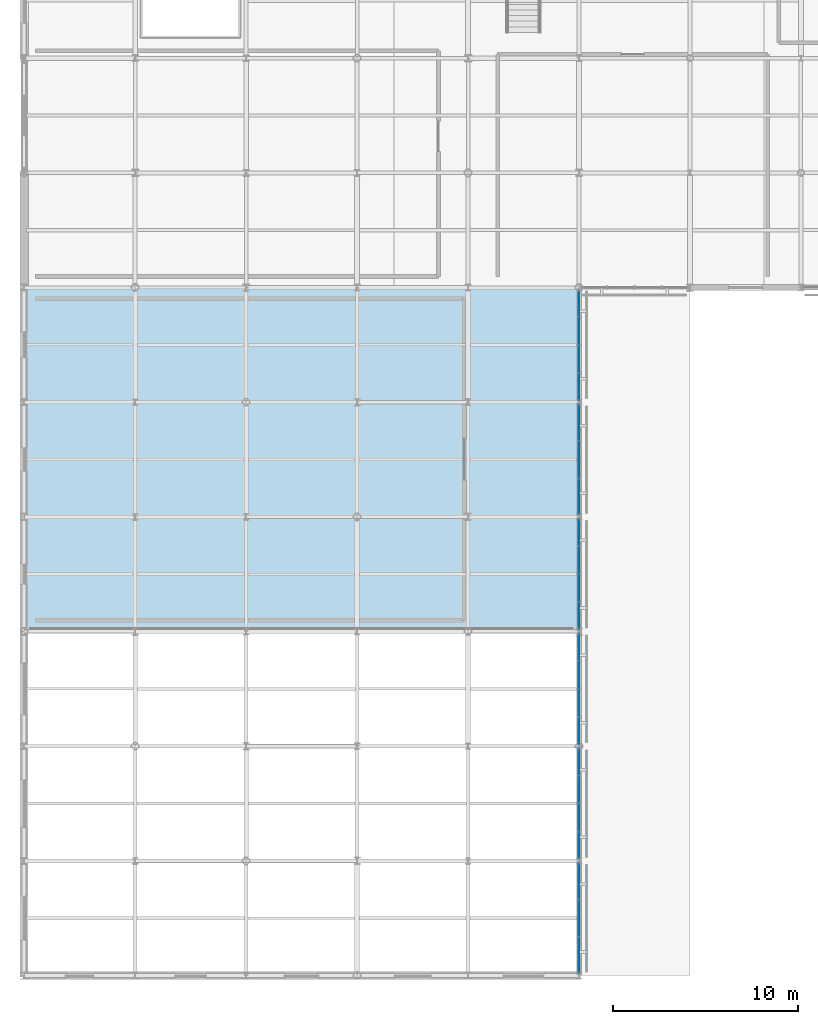
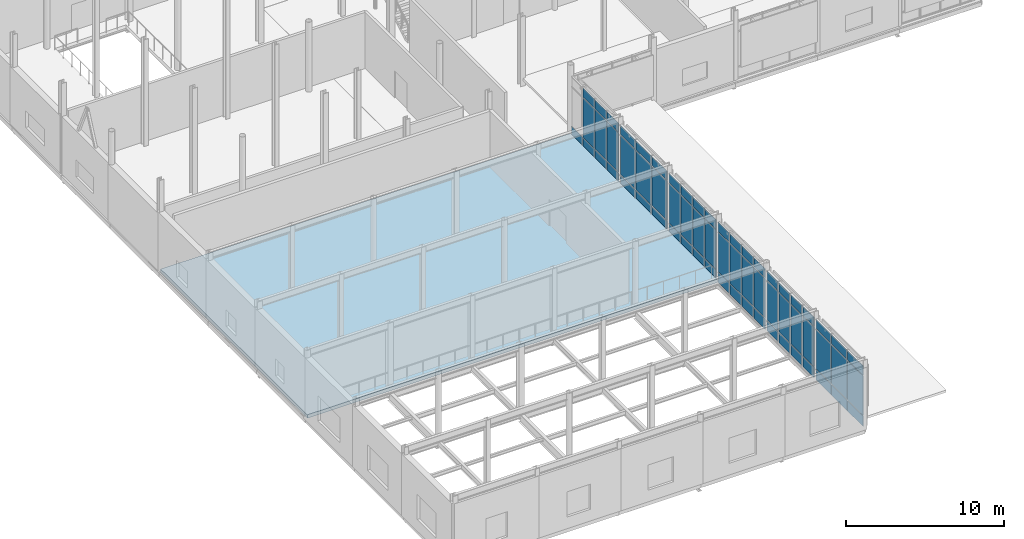
# One storey, part 55 of 105: 64 plates, 1 slab, 6 elements without a shape of their own.
"""IFC4 building model written with IfcOpenShell, lengths in metres."""

from ifc_helpers import new_model, si_unit, direction, frame, origin, origin_2d, place, context, subcontext, project, spatial, polyline, rectangle, outline, extrude, material, layer, layer_set, type_object, element, aggregate, save


model = new_model("IFC4")

# Units and contexts
model_context = context("Model", 3, precision=1e-05, world=origin(), true_north=direction((0.0, 1.0)))
body_context = subcontext(model_context, "Body", "Model", "MODEL_VIEW")
ifc_project = project(units=[si_unit("LENGTHUNIT", "METRE"), si_unit("AREAUNIT", "SQUARE_METRE"), si_unit("VOLUMEUNIT", "CUBIC_METRE"), si_unit("PLANEANGLEUNIT", "RADIAN"), si_unit("MASSUNIT", "GRAM", prefix="KILO")], contexts=[model_context])

# Site, building, storey
site_placement = place(None, origin())
site = spatial("IfcSite", under=ifc_project, at=site_placement, CompositionType="ELEMENT")
building_placement = place(site_placement, origin())
building = spatial("IfcBuilding", under=site, at=building_placement, Name="Mirzam Square Science Centre", CompositionType="ELEMENT")
storey_placement = place(building_placement, frame((0.0, 0.0, 5.39990234375)))
storey = spatial("IfcBuildingStorey", under=building, at=storey_placement, Name="L01", CompositionType="ELEMENT", Elevation=5.39990234375)

# Curtain wall, plates
ifc_material_1 = material(Name="Anodised Aluminium and Low-E Solar Glass", Category="aluminium")
ifc_layer_1 = layer(ifc_material_1, 0.159912109375)
ifc_layer_set_1 = layer_set([ifc_layer_1], Name="CW-COURT-B")
curtain_wall_type_1 = type_object("IfcCurtainWallType", Name="CW-COURT-B", PredefinedType="USERDEFINED", material=ifc_layer_set_1)
curtain_wall_1_placement = place(storey_placement, origin())
curtain_wall_1 = element("IfcCurtainWall", 1, at=curtain_wall_1_placement, inside=storey, type_object=curtain_wall_type_1, Name="L01 unitised curtain wall 42", ObjectType="UNITISED CURTAIN WALL", PredefinedType="USERDEFINED")
ifc_material_2 = material(Name="Ceramic-Fritted Courtyard Solar Glass", Category="glass")
ifc_layer_2 = layer(ifc_material_2, 0.02392578125)
ifc_layer_set_2 = layer_set([ifc_layer_2], Name="CWP-GLZ-24")
plate_type_1 = type_object("IfcPlateType", Name="CWP-GLZ-24", PredefinedType="CURTAIN_PANEL", material=ifc_layer_set_2)
plate_1_placement = place(storey_placement, frame((30.0, 13.231201171875, -0.18994140625), z_axis=(0.0, 0.0, 1.0), x_axis=(0.0, 1.0, 0.0)))
plate_1 = element("IfcPlate", 2, at=plate_1_placement, type_object=plate_type_1, Name="CW-04 panel 1.1", PredefinedType="CURTAIN_PANEL", context=body_context, shape_type="SweptSolid", body=[
    extrude(rectangle(XDim=1.4326171875, YDim=0.02392578125, at=origin_2d()), origin(), (0.0, 0.0, 1.0), 0.81005859375),
])
plate_2_placement = place(storey_placement, frame((30.0, 13.231201171875, 0.68017578125), z_axis=(0.0, 0.0, 1.0), x_axis=(0.0, 1.0, 0.0)))
plate_2 = element("IfcPlate", 3, at=plate_2_placement, type_object=plate_type_1, Name="CW-04 panel 1.2", PredefinedType="CURTAIN_PANEL", context=body_context, shape_type="SweptSolid", body=[
    extrude(rectangle(XDim=1.4326171875, YDim=0.02392578125, at=origin_2d()), origin(), (0.0, 0.0, 1.0), 3.0400390625),
])
plate_3_placement = place(storey_placement, frame((30.0, 13.231201171875, 3.780029296875), z_axis=(0.0, 0.0, 1.0), x_axis=(0.0, 1.0, 0.0)))
plate_3 = element("IfcPlate", 4, at=plate_3_placement, type_object=plate_type_1, Name="CW-04 panel 1.3", PredefinedType="CURTAIN_PANEL", context=body_context, shape_type="SweptSolid", body=[
    extrude(rectangle(XDim=1.4326171875, YDim=0.02392578125, at=origin_2d()), origin(), (0.0, 0.0, 1.0), 0.7099609375),
])
plate_4_placement = place(storey_placement, frame((30.0, 14.73876953125, -0.18994140625), z_axis=(0.0, 0.0, 1.0), x_axis=(0.0, 1.0, 0.0)))
plate_4 = element("IfcPlate", 5, at=plate_4_placement, type_object=plate_type_1, Name="CW-04 panel 2.1", PredefinedType="CURTAIN_PANEL", context=body_context, shape_type="SweptSolid", body=[
    extrude(rectangle(XDim=1.46240234375, YDim=0.02392578125, at=origin_2d()), origin(), (0.0, 0.0, 1.0), 0.81005859375),
])
plate_5_placement = place(storey_placement, frame((30.0, 14.73876953125, 0.68017578125), z_axis=(0.0, 0.0, 1.0), x_axis=(0.0, 1.0, 0.0)))
plate_5 = element("IfcPlate", 6, at=plate_5_placement, type_object=plate_type_1, Name="CW-04 panel 2.2", PredefinedType="CURTAIN_PANEL", context=body_context, shape_type="SweptSolid", body=[
    extrude(rectangle(XDim=1.46240234375, YDim=0.02392578125, at=origin_2d()), origin(), (0.0, 0.0, 1.0), 3.0400390625),
])
plate_6_placement = place(storey_placement, frame((30.0, 14.73876953125, 3.780029296875), z_axis=(0.0, 0.0, 1.0), x_axis=(0.0, 1.0, 0.0)))
plate_6 = element("IfcPlate", 7, at=plate_6_placement, type_object=plate_type_1, Name="CW-04 panel 2.3", PredefinedType="CURTAIN_PANEL", context=body_context, shape_type="SweptSolid", body=[
    extrude(rectangle(XDim=1.46240234375, YDim=0.02392578125, at=origin_2d()), origin(), (0.0, 0.0, 1.0), 0.7099609375),
])
plate_7_placement = place(storey_placement, frame((30.0, 16.26123046875, -0.18994140625), z_axis=(0.0, 0.0, 1.0), x_axis=(0.0, 1.0, 0.0)))
plate_7 = element("IfcPlate", 8, at=plate_7_placement, type_object=plate_type_1, Name="CW-04 panel 3.1", PredefinedType="CURTAIN_PANEL", context=body_context, shape_type="SweptSolid", body=[
    extrude(rectangle(XDim=1.46240234375, YDim=0.02392578125, at=origin_2d()), origin(), (0.0, 0.0, 1.0), 0.81005859375),
])
plate_8_placement = place(storey_placement, frame((30.0, 16.26123046875, 0.68017578125), z_axis=(0.0, 0.0, 1.0), x_axis=(0.0, 1.0, 0.0)))
plate_8 = element("IfcPlate", 9, at=plate_8_placement, type_object=plate_type_1, Name="CW-04 panel 3.2", PredefinedType="CURTAIN_PANEL", context=body_context, shape_type="SweptSolid", body=[
    extrude(rectangle(XDim=1.46240234375, YDim=0.02392578125, at=origin_2d()), origin(), (0.0, 0.0, 1.0), 3.0400390625),
])
plate_9_placement = place(storey_placement, frame((30.0, 16.26123046875, 3.780029296875), z_axis=(0.0, 0.0, 1.0), x_axis=(0.0, 1.0, 0.0)))
plate_9 = element("IfcPlate", 10, at=plate_9_placement, type_object=plate_type_1, Name="CW-04 panel 3.3", PredefinedType="CURTAIN_PANEL", context=body_context, shape_type="SweptSolid", body=[
    extrude(rectangle(XDim=1.46240234375, YDim=0.02392578125, at=origin_2d()), origin(), (0.0, 0.0, 1.0), 0.7099609375),
])
plate_10_placement = place(storey_placement, frame((30.0, 17.768798828125, -0.18994140625), z_axis=(0.0, 0.0, 1.0), x_axis=(0.0, 1.0, 0.0)))
plate_10 = element("IfcPlate", 11, at=plate_10_placement, type_object=plate_type_1, Name="CW-04 panel 4.1", PredefinedType="CURTAIN_PANEL", context=body_context, shape_type="SweptSolid", body=[
    extrude(rectangle(XDim=1.4326171875, YDim=0.02392578125, at=origin_2d()), origin(), (0.0, 0.0, 1.0), 0.81005859375),
])
plate_11_placement = place(storey_placement, frame((30.0, 17.768798828125, 0.68017578125), z_axis=(0.0, 0.0, 1.0), x_axis=(0.0, 1.0, 0.0)))
plate_11 = element("IfcPlate", 12, at=plate_11_placement, type_object=plate_type_1, Name="CW-04 panel 4.2", PredefinedType="CURTAIN_PANEL", context=body_context, shape_type="SweptSolid", body=[
    extrude(rectangle(XDim=1.4326171875, YDim=0.02392578125, at=origin_2d()), origin(), (0.0, 0.0, 1.0), 3.0400390625),
])
plate_12_placement = place(storey_placement, frame((30.0, 17.768798828125, 3.780029296875), z_axis=(0.0, 0.0, 1.0), x_axis=(0.0, 1.0, 0.0)))
plate_12 = element("IfcPlate", 13, at=plate_12_placement, type_object=plate_type_1, Name="CW-04 panel 4.3", PredefinedType="CURTAIN_PANEL", context=body_context, shape_type="SweptSolid", body=[
    extrude(rectangle(XDim=1.4326171875, YDim=0.02392578125, at=origin_2d()), origin(), (0.0, 0.0, 1.0), 0.7099609375),
])
aggregate(curtain_wall_1, [plate_1, plate_2, plate_3, plate_4, plate_5, plate_6, plate_7, plate_8, plate_9, plate_10, plate_11, plate_12])

ifc_layer_3 = layer(ifc_material_1, 0.239990234375)
ifc_layer_set_3 = layer_set([ifc_layer_3], Name="CW-EAST-B")
curtain_wall_type_2 = type_object("IfcCurtainWallType", Name="CW-EAST-B", PredefinedType="USERDEFINED", material=ifc_layer_set_3)
curtain_wall_2_placement = place(storey_placement, origin())
curtain_wall_2 = element("IfcCurtainWall", 14, at=curtain_wall_2_placement, inside=storey, type_object=curtain_wall_type_2, Name="L01 unitised curtain wall 44", ObjectType="UNITISED CURTAIN WALL", PredefinedType="USERDEFINED")
ifc_material_3 = material(Name="Double-Silver Low-E Insulated Solar Glass", Category="glass")
ifc_layer_4 = layer(ifc_material_3, 0.028076171875)
ifc_layer_set_4 = layer_set([ifc_layer_4], Name="CWP-GLZ-28")
plate_type_2 = type_object("IfcPlateType", Name="CWP-GLZ-28", PredefinedType="CURTAIN_PANEL", material=ifc_layer_set_4)
plate_13_placement = place(storey_placement, frame((30.0, 25.888671875, -0.175048828125), z_axis=(0.0, 0.0, 1.0), x_axis=(0.0, 1.0, 0.0)))
plate_13 = element("IfcPlate", 15, at=plate_13_placement, type_object=plate_type_2, Name="CW-06 panel 1.1", PredefinedType="CURTAIN_PANEL", context=body_context, shape_type="SweptSolid", body=[
    extrude(rectangle(XDim=1.91748046875, YDim=0.028076171875, at=origin_2d()), origin(), (0.0, 0.0, 1.0), 0.78759765625),
])
plate_14_placement = place(storey_placement, frame((30.0, 25.888671875, 0.687744140625), z_axis=(0.0, 0.0, 1.0), x_axis=(0.0, 1.0, 0.0)))
plate_14 = element("IfcPlate", 16, at=plate_14_placement, type_object=plate_type_2, Name="CW-06 panel 1.2", PredefinedType="CURTAIN_PANEL", context=body_context, shape_type="SweptSolid", body=[
    extrude(rectangle(XDim=1.91748046875, YDim=0.028076171875, at=origin_2d()), origin(), (0.0, 0.0, 1.0), 3.02490234375),
])
plate_15_placement = place(storey_placement, frame((30.0, 25.888671875, 3.78759765625), z_axis=(0.0, 0.0, 1.0), x_axis=(0.0, 1.0, 0.0)))
plate_15 = element("IfcPlate", 17, at=plate_15_placement, type_object=plate_type_2, Name="CW-06 panel 1.3", PredefinedType="CURTAIN_PANEL", context=body_context, shape_type="SweptSolid", body=[
    extrude(rectangle(XDim=1.91748046875, YDim=0.028076171875, at=origin_2d()), origin(), (0.0, 0.0, 1.0), 0.6875),
])
plate_16_placement = place(storey_placement, frame((30.0, 27.89990234375, -0.175048828125), z_axis=(0.0, 0.0, 1.0), x_axis=(0.0, 1.0, 0.0)))
plate_16 = element("IfcPlate", 18, at=plate_16_placement, type_object=plate_type_2, Name="CW-06 panel 2.1", PredefinedType="CURTAIN_PANEL", context=body_context, shape_type="SweptSolid", body=[
    extrude(rectangle(XDim=1.955078125, YDim=0.028076171875, at=origin_2d()), origin(), (0.0, 0.0, 1.0), 0.78759765625),
])
plate_17_placement = place(storey_placement, frame((30.0, 27.89990234375, 0.687744140625), z_axis=(0.0, 0.0, 1.0), x_axis=(0.0, 1.0, 0.0)))
plate_17 = element("IfcPlate", 19, at=plate_17_placement, type_object=plate_type_2, Name="CW-06 panel 2.2", PredefinedType="CURTAIN_PANEL", context=body_context, shape_type="SweptSolid", body=[
    extrude(rectangle(XDim=1.955078125, YDim=0.028076171875, at=origin_2d()), origin(), (0.0, 0.0, 1.0), 3.02490234375),
])
plate_18_placement = place(storey_placement, frame((30.0, 27.89990234375, 3.78759765625), z_axis=(0.0, 0.0, 1.0), x_axis=(0.0, 1.0, 0.0)))
plate_18 = element("IfcPlate", 20, at=plate_18_placement, type_object=plate_type_2, Name="CW-06 panel 2.3", PredefinedType="CURTAIN_PANEL", context=body_context, shape_type="SweptSolid", body=[
    extrude(rectangle(XDim=1.955078125, YDim=0.028076171875, at=origin_2d()), origin(), (0.0, 0.0, 1.0), 0.6875),
])
plate_19_placement = place(storey_placement, frame((30.0, 29.9111328125, -0.175048828125), z_axis=(0.0, 0.0, 1.0), x_axis=(0.0, 1.0, 0.0)))
plate_19 = element("IfcPlate", 21, at=plate_19_placement, type_object=plate_type_2, Name="CW-06 panel 3.1", PredefinedType="CURTAIN_PANEL", context=body_context, shape_type="SweptSolid", body=[
    extrude(rectangle(XDim=1.91748046875, YDim=0.028076171875, at=origin_2d()), origin(), (0.0, 0.0, 1.0), 0.78759765625),
])
plate_20_placement = place(storey_placement, frame((30.0, 29.9111328125, 0.687744140625), z_axis=(0.0, 0.0, 1.0), x_axis=(0.0, 1.0, 0.0)))
plate_20 = element("IfcPlate", 22, at=plate_20_placement, type_object=plate_type_2, Name="CW-06 panel 3.2", PredefinedType="CURTAIN_PANEL", context=body_context, shape_type="SweptSolid", body=[
    extrude(rectangle(XDim=1.91748046875, YDim=0.028076171875, at=origin_2d()), origin(), (0.0, 0.0, 1.0), 3.02490234375),
])
plate_21_placement = place(storey_placement, frame((30.0, 29.9111328125, 3.78759765625), z_axis=(0.0, 0.0, 1.0), x_axis=(0.0, 1.0, 0.0)))
plate_21 = element("IfcPlate", 23, at=plate_21_placement, type_object=plate_type_2, Name="CW-06 panel 3.3", PredefinedType="CURTAIN_PANEL", context=body_context, shape_type="SweptSolid", body=[
    extrude(rectangle(XDim=1.91748046875, YDim=0.028076171875, at=origin_2d()), origin(), (0.0, 0.0, 1.0), 0.6875),
])
aggregate(curtain_wall_2, [plate_13, plate_14, plate_15, plate_16, plate_17, plate_18, plate_19, plate_20, plate_21])

ifc_layer_5 = layer(ifc_material_1, 0.199951171875)
ifc_layer_set_5 = layer_set([ifc_layer_5], Name="CW-PARK-B")
curtain_wall_type_3 = type_object("IfcCurtainWallType", Name="CW-PARK-B", PredefinedType="USERDEFINED", material=ifc_layer_set_5)
curtain_wall_3_placement = place(storey_placement, origin())
curtain_wall_3 = element("IfcCurtainWall", 24, at=curtain_wall_3_placement, inside=storey, type_object=curtain_wall_type_3, Name="L01 unitised curtain wall 40", ObjectType="UNITISED CURTAIN WALL", PredefinedType="USERDEFINED")
ifc_material_4 = material(Name="Triple-Glazed Acoustic Low-E Solar Glass", Category="glass")
ifc_layer_6 = layer(ifc_material_4, 0.031982421875)
ifc_layer_set_6 = layer_set([ifc_layer_6], Name="CWP-GLZ-32")
plate_type_3 = type_object("IfcPlateType", Name="CWP-GLZ-32", PredefinedType="CURTAIN_PANEL", material=ifc_layer_set_6)
plate_22_placement = place(storey_placement, frame((30.0, 1.086181640625, -0.18505859375), z_axis=(0.0, 0.0, 1.0), x_axis=(0.0, 1.0, 0.0)))
plate_22 = element("IfcPlate", 25, at=plate_22_placement, type_object=plate_type_3, Name="CW-02 panel 1.1", PredefinedType="CURTAIN_PANEL", context=body_context, shape_type="SweptSolid", body=[
    extrude(rectangle(XDim=1.9326171875, YDim=0.031982421875, at=origin_2d()), origin(), (0.0, 0.0, 1.0), 0.802490234375),
])
plate_23_placement = place(storey_placement, frame((30.0, 1.086181640625, 0.6826171875), z_axis=(0.0, 0.0, 1.0), x_axis=(0.0, 1.0, 0.0)))
plate_23 = element("IfcPlate", 26, at=plate_23_placement, type_object=plate_type_3, Name="CW-02 panel 1.2", PredefinedType="CURTAIN_PANEL", context=body_context, shape_type="SweptSolid", body=[
    extrude(rectangle(XDim=1.9326171875, YDim=0.031982421875, at=origin_2d()), origin(), (0.0, 0.0, 1.0), 3.034912109375),
])
plate_24_placement = place(storey_placement, frame((30.0, 1.086181640625, 3.78271484375), z_axis=(0.0, 0.0, 1.0), x_axis=(0.0, 1.0, 0.0)))
plate_24 = element("IfcPlate", 27, at=plate_24_placement, type_object=plate_type_3, Name="CW-02 panel 1.3", PredefinedType="CURTAIN_PANEL", context=body_context, shape_type="SweptSolid", body=[
    extrude(rectangle(XDim=1.9326171875, YDim=0.031982421875, at=origin_2d()), origin(), (0.0, 0.0, 1.0), 0.702392578125),
])
plate_25_placement = place(storey_placement, frame((30.0, 3.10009765625, -0.18505859375), z_axis=(0.0, 0.0, 1.0), x_axis=(0.0, 1.0, 0.0)))
plate_25 = element("IfcPlate", 28, at=plate_25_placement, type_object=plate_type_3, Name="CW-02 panel 2.1", PredefinedType="CURTAIN_PANEL", context=body_context, shape_type="SweptSolid", body=[
    extrude(rectangle(XDim=1.965087890625, YDim=0.031982421875, at=origin_2d()), origin(), (0.0, 0.0, 1.0), 0.802490234375),
])
plate_26_placement = place(storey_placement, frame((30.0, 3.10009765625, 0.6826171875), z_axis=(0.0, 0.0, 1.0), x_axis=(0.0, 1.0, 0.0)))
plate_26 = element("IfcPlate", 29, at=plate_26_placement, type_object=plate_type_3, Name="CW-02 panel 2.2", PredefinedType="CURTAIN_PANEL", context=body_context, shape_type="SweptSolid", body=[
    extrude(rectangle(XDim=1.965087890625, YDim=0.031982421875, at=origin_2d()), origin(), (0.0, 0.0, 1.0), 3.034912109375),
])
plate_27_placement = place(storey_placement, frame((30.0, 3.10009765625, 3.78271484375), z_axis=(0.0, 0.0, 1.0), x_axis=(0.0, 1.0, 0.0)))
plate_27 = element("IfcPlate", 30, at=plate_27_placement, type_object=plate_type_3, Name="CW-02 panel 2.3", PredefinedType="CURTAIN_PANEL", context=body_context, shape_type="SweptSolid", body=[
    extrude(rectangle(XDim=1.965087890625, YDim=0.031982421875, at=origin_2d()), origin(), (0.0, 0.0, 1.0), 0.702392578125),
])
plate_28_placement = place(storey_placement, frame((30.0, 5.11376953125, -0.18505859375), z_axis=(0.0, 0.0, 1.0), x_axis=(0.0, 1.0, 0.0)))
plate_28 = element("IfcPlate", 31, at=plate_28_placement, type_object=plate_type_3, Name="CW-02 panel 3.1", PredefinedType="CURTAIN_PANEL", context=body_context, shape_type="SweptSolid", body=[
    extrude(rectangle(XDim=1.9326171875, YDim=0.031982421875, at=origin_2d()), origin(), (0.0, 0.0, 1.0), 0.802490234375),
])
plate_29_placement = place(storey_placement, frame((30.0, 5.11376953125, 0.6826171875), z_axis=(0.0, 0.0, 1.0), x_axis=(0.0, 1.0, 0.0)))
plate_29 = element("IfcPlate", 32, at=plate_29_placement, type_object=plate_type_3, Name="CW-02 panel 3.2", PredefinedType="CURTAIN_PANEL", context=body_context, shape_type="SweptSolid", body=[
    extrude(rectangle(XDim=1.9326171875, YDim=0.031982421875, at=origin_2d()), origin(), (0.0, 0.0, 1.0), 3.034912109375),
])
plate_30_placement = place(storey_placement, frame((30.0, 5.11376953125, 3.78271484375), z_axis=(0.0, 0.0, 1.0), x_axis=(0.0, 1.0, 0.0)))
plate_30 = element("IfcPlate", 33, at=plate_30_placement, type_object=plate_type_3, Name="CW-02 panel 3.3", PredefinedType="CURTAIN_PANEL", context=body_context, shape_type="SweptSolid", body=[
    extrude(rectangle(XDim=1.9326171875, YDim=0.031982421875, at=origin_2d()), origin(), (0.0, 0.0, 1.0), 0.702392578125),
])
aggregate(curtain_wall_3, [plate_22, plate_23, plate_24, plate_25, plate_26, plate_27, plate_28, plate_29, plate_30])

ifc_layer_7 = layer(ifc_material_1, 0.219970703125)
ifc_layer_set_7 = layer_set([ifc_layer_7], Name="CW-OBS-A")
curtain_wall_type_4 = type_object("IfcCurtainWallType", Name="CW-OBS-A", PredefinedType="USERDEFINED", material=ifc_layer_set_7)
curtain_wall_4_placement = place(storey_placement, origin())
curtain_wall_4 = element("IfcCurtainWall", 34, at=curtain_wall_4_placement, inside=storey, type_object=curtain_wall_type_4, Name="L01 unitised curtain wall 45", ObjectType="UNITISED CURTAIN WALL", PredefinedType="USERDEFINED")
plate_31_placement = place(storey_placement, frame((30.0, 31.831298828125, -0.18994140625), z_axis=(0.0, 0.0, 1.0), x_axis=(0.0, 1.0, 0.0)))
plate_31 = element("IfcPlate", 35, at=plate_31_placement, type_object=plate_type_3, Name="CW-07 panel 1.1", PredefinedType="CURTAIN_PANEL", context=body_context, shape_type="SweptSolid", body=[
    extrude(rectangle(XDim=1.4326171875, YDim=0.031982421875, at=origin_2d()), origin(), (0.0, 0.0, 1.0), 0.81005859375),
])
plate_32_placement = place(storey_placement, frame((30.0, 31.831298828125, 0.68017578125), z_axis=(0.0, 0.0, 1.0), x_axis=(0.0, 1.0, 0.0)))
plate_32 = element("IfcPlate", 36, at=plate_32_placement, type_object=plate_type_3, Name="CW-07 panel 1.2", PredefinedType="CURTAIN_PANEL", context=body_context, shape_type="SweptSolid", body=[
    extrude(rectangle(XDim=1.4326171875, YDim=0.031982421875, at=origin_2d()), origin(), (0.0, 0.0, 1.0), 3.0400390625),
])
plate_33_placement = place(storey_placement, frame((30.0, 31.831298828125, 3.780029296875), z_axis=(0.0, 0.0, 1.0), x_axis=(0.0, 1.0, 0.0)))
plate_33 = element("IfcPlate", 37, at=plate_33_placement, type_object=plate_type_3, Name="CW-07 panel 1.3", PredefinedType="CURTAIN_PANEL", context=body_context, shape_type="SweptSolid", body=[
    extrude(rectangle(XDim=1.4326171875, YDim=0.031982421875, at=origin_2d()), origin(), (0.0, 0.0, 1.0), 0.7099609375),
])
plate_34_placement = place(storey_placement, frame((30.0, 33.3388671875, -0.18994140625), z_axis=(0.0, 0.0, 1.0), x_axis=(0.0, 1.0, 0.0)))
plate_34 = element("IfcPlate", 38, at=plate_34_placement, type_object=plate_type_3, Name="CW-07 panel 2.1", PredefinedType="CURTAIN_PANEL", context=body_context, shape_type="SweptSolid", body=[
    extrude(rectangle(XDim=1.46240234375, YDim=0.031982421875, at=origin_2d()), origin(), (0.0, 0.0, 1.0), 0.81005859375),
])
plate_35_placement = place(storey_placement, frame((30.0, 33.3388671875, 0.68017578125), z_axis=(0.0, 0.0, 1.0), x_axis=(0.0, 1.0, 0.0)))
plate_35 = element("IfcPlate", 39, at=plate_35_placement, type_object=plate_type_3, Name="CW-07 panel 2.2", PredefinedType="CURTAIN_PANEL", context=body_context, shape_type="SweptSolid", body=[
    extrude(rectangle(XDim=1.46240234375, YDim=0.031982421875, at=origin_2d()), origin(), (0.0, 0.0, 1.0), 3.0400390625),
])
plate_36_placement = place(storey_placement, frame((30.0, 33.3388671875, 3.780029296875), z_axis=(0.0, 0.0, 1.0), x_axis=(0.0, 1.0, 0.0)))
plate_36 = element("IfcPlate", 40, at=plate_36_placement, type_object=plate_type_3, Name="CW-07 panel 2.3", PredefinedType="CURTAIN_PANEL", context=body_context, shape_type="SweptSolid", body=[
    extrude(rectangle(XDim=1.46240234375, YDim=0.031982421875, at=origin_2d()), origin(), (0.0, 0.0, 1.0), 0.7099609375),
])
plate_37_placement = place(storey_placement, frame((30.0, 34.861328125, -0.18994140625), z_axis=(0.0, 0.0, 1.0), x_axis=(0.0, 1.0, 0.0)))
plate_37 = element("IfcPlate", 41, at=plate_37_placement, type_object=plate_type_3, Name="CW-07 panel 3.1", PredefinedType="CURTAIN_PANEL", context=body_context, shape_type="SweptSolid", body=[
    extrude(rectangle(XDim=1.46240234375, YDim=0.031982421875, at=origin_2d()), origin(), (0.0, 0.0, 1.0), 0.81005859375),
])
plate_38_placement = place(storey_placement, frame((30.0, 34.861328125, 0.68017578125), z_axis=(0.0, 0.0, 1.0), x_axis=(0.0, 1.0, 0.0)))
plate_38 = element("IfcPlate", 42, at=plate_38_placement, type_object=plate_type_3, Name="CW-07 panel 3.2", PredefinedType="CURTAIN_PANEL", context=body_context, shape_type="SweptSolid", body=[
    extrude(rectangle(XDim=1.46240234375, YDim=0.031982421875, at=origin_2d()), origin(), (0.0, 0.0, 1.0), 3.0400390625),
])
plate_39_placement = place(storey_placement, frame((30.0, 34.861328125, 3.780029296875), z_axis=(0.0, 0.0, 1.0), x_axis=(0.0, 1.0, 0.0)))
plate_39 = element("IfcPlate", 43, at=plate_39_placement, type_object=plate_type_3, Name="CW-07 panel 3.3", PredefinedType="CURTAIN_PANEL", context=body_context, shape_type="SweptSolid", body=[
    extrude(rectangle(XDim=1.46240234375, YDim=0.031982421875, at=origin_2d()), origin(), (0.0, 0.0, 1.0), 0.7099609375),
])
plate_40_placement = place(storey_placement, frame((30.0, 36.36865234375, -0.18994140625), z_axis=(0.0, 0.0, 1.0), x_axis=(0.0, 1.0, 0.0)))
plate_40 = element("IfcPlate", 44, at=plate_40_placement, type_object=plate_type_3, Name="CW-07 panel 4.1", PredefinedType="CURTAIN_PANEL", context=body_context, shape_type="SweptSolid", body=[
    extrude(rectangle(XDim=1.4326171875, YDim=0.031982421875, at=origin_2d()), origin(), (0.0, 0.0, 1.0), 0.81005859375),
])
aggregate(curtain_wall_4, [plate_31, plate_32, plate_33, plate_34, plate_35, plate_36, plate_37, plate_38, plate_39, plate_40])

ifc_layer_8 = layer(ifc_material_1, 0.159912109375)
ifc_layer_set_8 = layer_set([ifc_layer_8], Name="CW-COURT-A")
curtain_wall_type_5 = type_object("IfcCurtainWallType", Name="CW-COURT-A", PredefinedType="USERDEFINED", material=ifc_layer_set_8)
curtain_wall_5_placement = place(storey_placement, origin())
curtain_wall_5 = element("IfcCurtainWall", 45, at=curtain_wall_5_placement, inside=storey, type_object=curtain_wall_type_5, Name="L01 unitised curtain wall 41", ObjectType="UNITISED CURTAIN WALL", PredefinedType="USERDEFINED")
ifc_material_5 = material(Name="Laminated Low-Iron Observatory Solar Glass", Category="glass")
ifc_layer_9 = layer(ifc_material_5, 0.035888671875)
ifc_layer_set_9 = layer_set([ifc_layer_9], Name="CWP-GLZ-36")
plate_type_4 = type_object("IfcPlateType", Name="CWP-GLZ-36", PredefinedType="CURTAIN_PANEL", material=ifc_layer_set_9)
plate_41_placement = place(storey_placement, frame((30.0, 7.034912109375, -0.175048828125), z_axis=(0.0, 0.0, 1.0), x_axis=(0.0, 1.0, 0.0)))
plate_41 = element("IfcPlate", 46, at=plate_41_placement, type_object=plate_type_4, Name="CW-03 panel 1.1", PredefinedType="CURTAIN_PANEL", context=body_context, shape_type="SweptSolid", body=[
    extrude(rectangle(XDim=1.409912109375, YDim=0.035888671875, at=origin_2d()), origin(), (0.0, 0.0, 1.0), 0.78759765625),
])
plate_42_placement = place(storey_placement, frame((30.0, 7.034912109375, 0.687744140625), z_axis=(0.0, 0.0, 1.0), x_axis=(0.0, 1.0, 0.0)))
plate_42 = element("IfcPlate", 47, at=plate_42_placement, type_object=plate_type_4, Name="CW-03 panel 1.2", PredefinedType="CURTAIN_PANEL", context=body_context, shape_type="SweptSolid", body=[
    extrude(rectangle(XDim=1.409912109375, YDim=0.035888671875, at=origin_2d()), origin(), (0.0, 0.0, 1.0), 3.02490234375),
])
plate_43_placement = place(storey_placement, frame((30.0, 7.034912109375, 3.78759765625), z_axis=(0.0, 0.0, 1.0), x_axis=(0.0, 1.0, 0.0)))
plate_43 = element("IfcPlate", 48, at=plate_43_placement, type_object=plate_type_4, Name="CW-03 panel 1.3", PredefinedType="CURTAIN_PANEL", context=body_context, shape_type="SweptSolid", body=[
    extrude(rectangle(XDim=1.409912109375, YDim=0.035888671875, at=origin_2d()), origin(), (0.0, 0.0, 1.0), 0.6875),
])
plate_44_placement = place(storey_placement, frame((30.0, 8.538818359375, -0.175048828125), z_axis=(0.0, 0.0, 1.0), x_axis=(0.0, 1.0, 0.0)))
plate_44 = element("IfcPlate", 49, at=plate_44_placement, type_object=plate_type_4, Name="CW-03 panel 2.1", PredefinedType="CURTAIN_PANEL", context=body_context, shape_type="SweptSolid", body=[
    extrude(rectangle(XDim=1.447509765625, YDim=0.035888671875, at=origin_2d()), origin(), (0.0, 0.0, 1.0), 0.78759765625),
])
plate_45_placement = place(storey_placement, frame((30.0, 8.538818359375, 0.687744140625), z_axis=(0.0, 0.0, 1.0), x_axis=(0.0, 1.0, 0.0)))
plate_45 = element("IfcPlate", 50, at=plate_45_placement, type_object=plate_type_4, Name="CW-03 panel 2.2", PredefinedType="CURTAIN_PANEL", context=body_context, shape_type="SweptSolid", body=[
    extrude(rectangle(XDim=1.447509765625, YDim=0.035888671875, at=origin_2d()), origin(), (0.0, 0.0, 1.0), 3.02490234375),
])
plate_46_placement = place(storey_placement, frame((30.0, 8.538818359375, 3.78759765625), z_axis=(0.0, 0.0, 1.0), x_axis=(0.0, 1.0, 0.0)))
plate_46 = element("IfcPlate", 51, at=plate_46_placement, type_object=plate_type_4, Name="CW-03 panel 2.3", PredefinedType="CURTAIN_PANEL", context=body_context, shape_type="SweptSolid", body=[
    extrude(rectangle(XDim=1.447509765625, YDim=0.035888671875, at=origin_2d()), origin(), (0.0, 0.0, 1.0), 0.6875),
])
plate_47_placement = place(storey_placement, frame((30.0, 10.061279296875, -0.175048828125), z_axis=(0.0, 0.0, 1.0), x_axis=(0.0, 1.0, 0.0)))
plate_47 = element("IfcPlate", 52, at=plate_47_placement, type_object=plate_type_4, Name="CW-03 panel 3.1", PredefinedType="CURTAIN_PANEL", context=body_context, shape_type="SweptSolid", body=[
    extrude(rectangle(XDim=1.447509765625, YDim=0.035888671875, at=origin_2d()), origin(), (0.0, 0.0, 1.0), 0.78759765625),
])
plate_48_placement = place(storey_placement, frame((30.0, 10.061279296875, 0.687744140625), z_axis=(0.0, 0.0, 1.0), x_axis=(0.0, 1.0, 0.0)))
plate_48 = element("IfcPlate", 53, at=plate_48_placement, type_object=plate_type_4, Name="CW-03 panel 3.2", PredefinedType="CURTAIN_PANEL", context=body_context, shape_type="SweptSolid", body=[
    extrude(rectangle(XDim=1.447509765625, YDim=0.035888671875, at=origin_2d()), origin(), (0.0, 0.0, 1.0), 3.02490234375),
])
plate_49_placement = place(storey_placement, frame((30.0, 10.061279296875, 3.78759765625), z_axis=(0.0, 0.0, 1.0), x_axis=(0.0, 1.0, 0.0)))
plate_49 = element("IfcPlate", 54, at=plate_49_placement, type_object=plate_type_4, Name="CW-03 panel 3.3", PredefinedType="CURTAIN_PANEL", context=body_context, shape_type="SweptSolid", body=[
    extrude(rectangle(XDim=1.447509765625, YDim=0.035888671875, at=origin_2d()), origin(), (0.0, 0.0, 1.0), 0.6875),
])
plate_50_placement = place(storey_placement, frame((30.0, 11.56494140625, -0.175048828125), z_axis=(0.0, 0.0, 1.0), x_axis=(0.0, 1.0, 0.0)))
plate_50 = element("IfcPlate", 55, at=plate_50_placement, type_object=plate_type_4, Name="CW-03 panel 4.1", PredefinedType="CURTAIN_PANEL", context=body_context, shape_type="SweptSolid", body=[
    extrude(rectangle(XDim=1.409912109375, YDim=0.035888671875, at=origin_2d()), origin(), (0.0, 0.0, 1.0), 0.78759765625),
])
plate_51_placement = place(storey_placement, frame((30.0, 11.56494140625, 0.687744140625), z_axis=(0.0, 0.0, 1.0), x_axis=(0.0, 1.0, 0.0)))
plate_51 = element("IfcPlate", 56, at=plate_51_placement, type_object=plate_type_4, Name="CW-03 panel 4.2", PredefinedType="CURTAIN_PANEL", context=body_context, shape_type="SweptSolid", body=[
    extrude(rectangle(XDim=1.409912109375, YDim=0.035888671875, at=origin_2d()), origin(), (0.0, 0.0, 1.0), 3.02490234375),
])
plate_52_placement = place(storey_placement, frame((30.0, 11.56494140625, 3.78759765625), z_axis=(0.0, 0.0, 1.0), x_axis=(0.0, 1.0, 0.0)))
plate_52 = element("IfcPlate", 57, at=plate_52_placement, type_object=plate_type_4, Name="CW-03 panel 4.3", PredefinedType="CURTAIN_PANEL", context=body_context, shape_type="SweptSolid", body=[
    extrude(rectangle(XDim=1.409912109375, YDim=0.035888671875, at=origin_2d()), origin(), (0.0, 0.0, 1.0), 0.6875),
])
aggregate(curtain_wall_5, [plate_41, plate_42, plate_43, plate_44, plate_45, plate_46, plate_47, plate_48, plate_49, plate_50, plate_51, plate_52])

ifc_layer_10 = layer(ifc_material_1, 0.199951171875)
ifc_layer_set_10 = layer_set([ifc_layer_10], Name="CW-EAST-A")
curtain_wall_type_6 = type_object("IfcCurtainWallType", Name="CW-EAST-A", PredefinedType="USERDEFINED", material=ifc_layer_set_10)
curtain_wall_6_placement = place(storey_placement, origin())
curtain_wall_6 = element("IfcCurtainWall", 58, at=curtain_wall_6_placement, inside=storey, type_object=curtain_wall_type_6, Name="L01 unitised curtain wall 43", ObjectType="UNITISED CURTAIN WALL", PredefinedType="USERDEFINED")
ifc_material_6 = material(Name="Acoustic Laminated Solar Spandrel Glass", Category="glass")
ifc_layer_11 = layer(ifc_material_6, 0.0400390625)
ifc_layer_set_11 = layer_set([ifc_layer_11], Name="CWP-GLZ-40")
plate_type_5 = type_object("IfcPlateType", Name="CWP-GLZ-40", PredefinedType="CURTAIN_PANEL", material=ifc_layer_set_11)
plate_53_placement = place(storey_placement, frame((30.0, 19.4326171875, -0.18505859375), z_axis=(0.0, 0.0, 1.0), x_axis=(0.0, 1.0, 0.0)))
plate_53 = element("IfcPlate", 59, at=plate_53_placement, type_object=plate_type_5, Name="CW-05 panel 1.1", PredefinedType="CURTAIN_PANEL", context=body_context, shape_type="SweptSolid", body=[
    extrude(rectangle(XDim=1.425048828125, YDim=0.0400390625, at=origin_2d()), origin(), (0.0, 0.0, 1.0), 0.802490234375),
])
plate_54_placement = place(storey_placement, frame((30.0, 19.4326171875, 0.6826171875), z_axis=(0.0, 0.0, 1.0), x_axis=(0.0, 1.0, 0.0)))
plate_54 = element("IfcPlate", 60, at=plate_54_placement, type_object=plate_type_5, Name="CW-05 panel 1.2", PredefinedType="CURTAIN_PANEL", context=body_context, shape_type="SweptSolid", body=[
    extrude(rectangle(XDim=1.425048828125, YDim=0.0400390625, at=origin_2d()), origin(), (0.0, 0.0, 1.0), 3.034912109375),
])
plate_55_placement = place(storey_placement, frame((30.0, 19.4326171875, 3.78271484375), z_axis=(0.0, 0.0, 1.0), x_axis=(0.0, 1.0, 0.0)))
plate_55 = element("IfcPlate", 61, at=plate_55_placement, type_object=plate_type_5, Name="CW-05 panel 1.3", PredefinedType="CURTAIN_PANEL", context=body_context, shape_type="SweptSolid", body=[
    extrude(rectangle(XDim=1.425048828125, YDim=0.0400390625, at=origin_2d()), origin(), (0.0, 0.0, 1.0), 0.702392578125),
])
plate_56_placement = place(storey_placement, frame((30.0, 20.938720703125, -0.18505859375), z_axis=(0.0, 0.0, 1.0), x_axis=(0.0, 1.0, 0.0)))
plate_56 = element("IfcPlate", 62, at=plate_56_placement, type_object=plate_type_5, Name="CW-05 panel 2.1", PredefinedType="CURTAIN_PANEL", context=body_context, shape_type="SweptSolid", body=[
    extrude(rectangle(XDim=1.45751953125, YDim=0.0400390625, at=origin_2d()), origin(), (0.0, 0.0, 1.0), 0.802490234375),
])
plate_57_placement = place(storey_placement, frame((30.0, 20.938720703125, 0.6826171875), z_axis=(0.0, 0.0, 1.0), x_axis=(0.0, 1.0, 0.0)))
plate_57 = element("IfcPlate", 63, at=plate_57_placement, type_object=plate_type_5, Name="CW-05 panel 2.2", PredefinedType="CURTAIN_PANEL", context=body_context, shape_type="SweptSolid", body=[
    extrude(rectangle(XDim=1.45751953125, YDim=0.0400390625, at=origin_2d()), origin(), (0.0, 0.0, 1.0), 3.034912109375),
])
plate_58_placement = place(storey_placement, frame((30.0, 20.938720703125, 3.78271484375), z_axis=(0.0, 0.0, 1.0), x_axis=(0.0, 1.0, 0.0)))
plate_58 = element("IfcPlate", 64, at=plate_58_placement, type_object=plate_type_5, Name="CW-05 panel 2.3", PredefinedType="CURTAIN_PANEL", context=body_context, shape_type="SweptSolid", body=[
    extrude(rectangle(XDim=1.45751953125, YDim=0.0400390625, at=origin_2d()), origin(), (0.0, 0.0, 1.0), 0.702392578125),
])
plate_59_placement = place(storey_placement, frame((30.0, 22.461181640625, -0.18505859375), z_axis=(0.0, 0.0, 1.0), x_axis=(0.0, 1.0, 0.0)))
plate_59 = element("IfcPlate", 65, at=plate_59_placement, type_object=plate_type_5, Name="CW-05 panel 3.1", PredefinedType="CURTAIN_PANEL", context=body_context, shape_type="SweptSolid", body=[
    extrude(rectangle(XDim=1.45751953125, YDim=0.0400390625, at=origin_2d()), origin(), (0.0, 0.0, 1.0), 0.802490234375),
])
plate_60_placement = place(storey_placement, frame((30.0, 22.461181640625, 0.6826171875), z_axis=(0.0, 0.0, 1.0), x_axis=(0.0, 1.0, 0.0)))
plate_60 = element("IfcPlate", 66, at=plate_60_placement, type_object=plate_type_5, Name="CW-05 panel 3.2", PredefinedType="CURTAIN_PANEL", context=body_context, shape_type="SweptSolid", body=[
    extrude(rectangle(XDim=1.45751953125, YDim=0.0400390625, at=origin_2d()), origin(), (0.0, 0.0, 1.0), 3.034912109375),
])
plate_61_placement = place(storey_placement, frame((30.0, 22.461181640625, 3.78271484375), z_axis=(0.0, 0.0, 1.0), x_axis=(0.0, 1.0, 0.0)))
plate_61 = element("IfcPlate", 67, at=plate_61_placement, type_object=plate_type_5, Name="CW-05 panel 3.3", PredefinedType="CURTAIN_PANEL", context=body_context, shape_type="SweptSolid", body=[
    extrude(rectangle(XDim=1.45751953125, YDim=0.0400390625, at=origin_2d()), origin(), (0.0, 0.0, 1.0), 0.702392578125),
])
plate_62_placement = place(storey_placement, frame((30.0, 23.967529296875, -0.18505859375), z_axis=(0.0, 0.0, 1.0), x_axis=(0.0, 1.0, 0.0)))
plate_62 = element("IfcPlate", 68, at=plate_62_placement, type_object=plate_type_5, Name="CW-05 panel 4.1", PredefinedType="CURTAIN_PANEL", context=body_context, shape_type="SweptSolid", body=[
    extrude(rectangle(XDim=1.425048828125, YDim=0.0400390625, at=origin_2d()), origin(), (0.0, 0.0, 1.0), 0.802490234375),
])
plate_63_placement = place(storey_placement, frame((30.0, 23.967529296875, 0.6826171875), z_axis=(0.0, 0.0, 1.0), x_axis=(0.0, 1.0, 0.0)))
plate_63 = element("IfcPlate", 69, at=plate_63_placement, type_object=plate_type_5, Name="CW-05 panel 4.2", PredefinedType="CURTAIN_PANEL", context=body_context, shape_type="SweptSolid", body=[
    extrude(rectangle(XDim=1.425048828125, YDim=0.0400390625, at=origin_2d()), origin(), (0.0, 0.0, 1.0), 3.034912109375),
])
plate_64_placement = place(storey_placement, frame((30.0, 23.967529296875, 3.78271484375), z_axis=(0.0, 0.0, 1.0), x_axis=(0.0, 1.0, 0.0)))
plate_64 = element("IfcPlate", 70, at=plate_64_placement, type_object=plate_type_5, Name="CW-05 panel 4.3", PredefinedType="CURTAIN_PANEL", context=body_context, shape_type="SweptSolid", body=[
    extrude(rectangle(XDim=1.425048828125, YDim=0.0400390625, at=origin_2d()), origin(), (0.0, 0.0, 1.0), 0.702392578125),
])
aggregate(curtain_wall_6, [plate_53, plate_54, plate_55, plate_56, plate_57, plate_58, plate_59, plate_60, plate_61, plate_62, plate_63, plate_64])

# Slab
ifc_material_7 = material(Name="Concrete C40/50", Category="concrete")
ifc_layer_12 = layer(ifc_material_7, 0.260009765625)
ifc_layer_set_12 = layer_set([ifc_layer_12], Name="SL-EXH-260")
slab_type = type_object("IfcSlabType", Name="SL-EXH-260", PredefinedType="FLOOR", material=ifc_layer_set_12)
slab_placement = place(storey_placement, frame((0.0, 0.0, -0.260009765625)))
element("IfcSlab", 71, at=slab_placement, inside=storey, type_object=slab_type, Name="L01 sw gallery 1 slab", PredefinedType="FLOOR", context=body_context, shape_type="SweptSolid", body=[
    extrude(outline(polyline([(30.0, 18.60009765625), (0.0, 18.60009765625), (0.0, 37.195068359375), (30.0, 37.195068359375), (30.0, 18.60009765625)])), origin(), (0.0, 0.0, 1.0), 0.260009765625),
])

save(model, "model.ifc")
